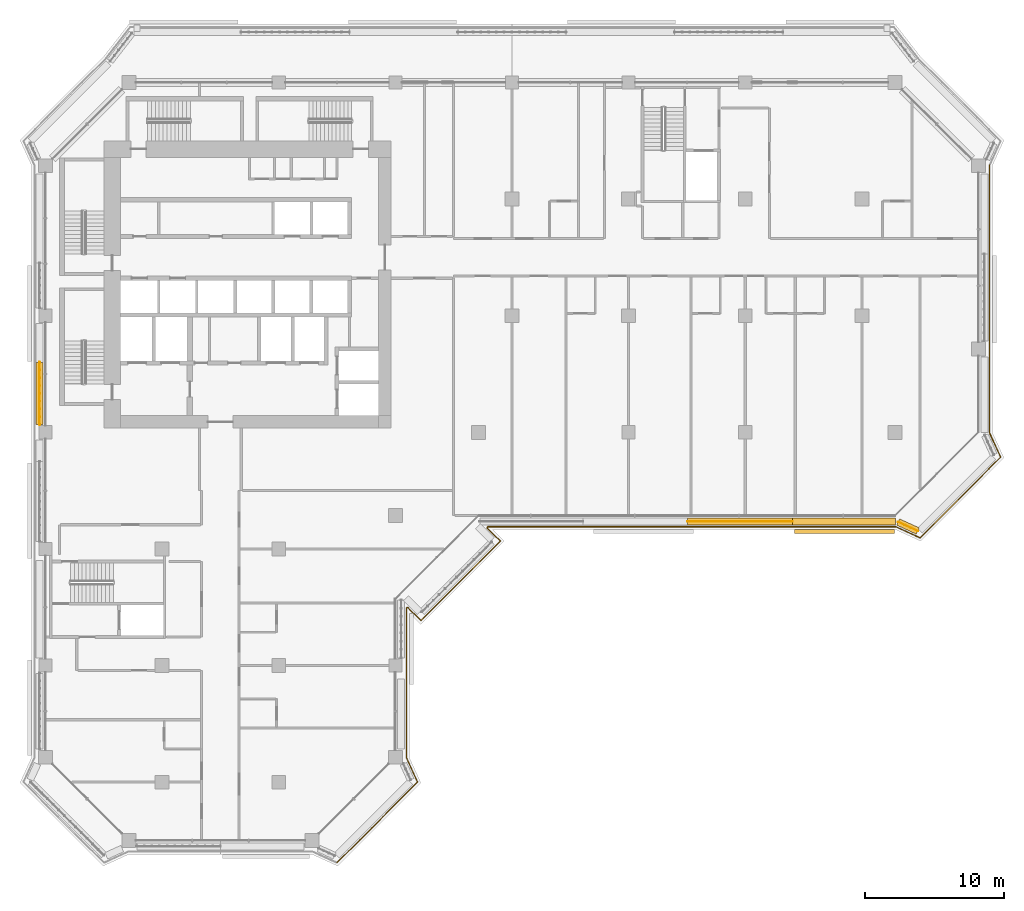
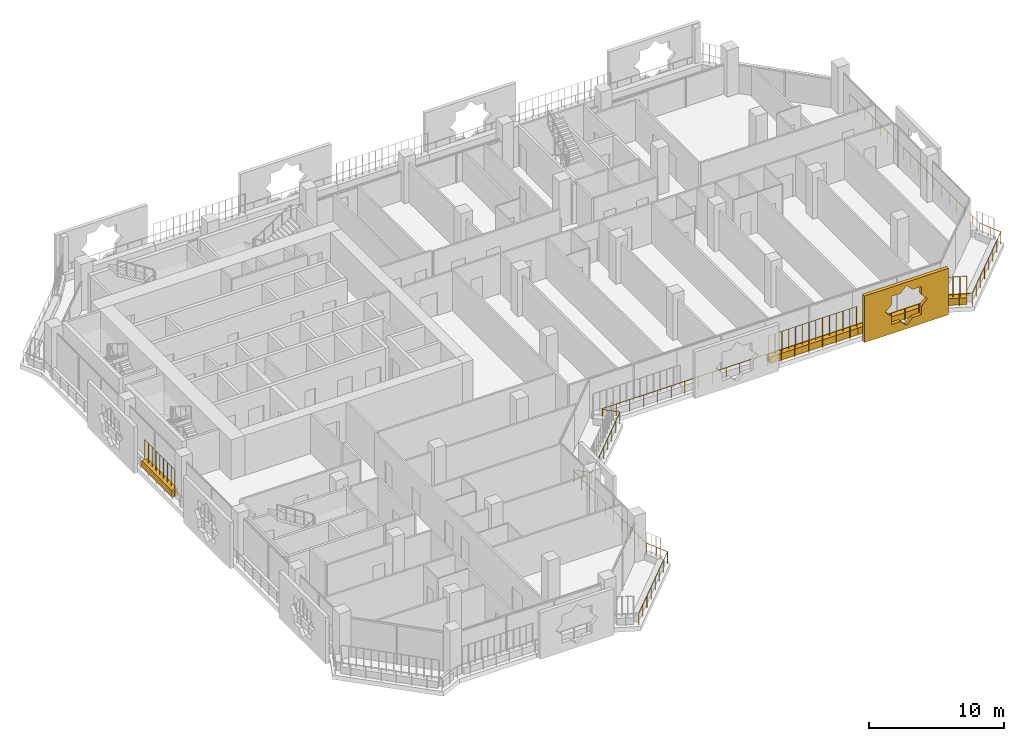
# One storey, part 18 of 21: 5 coverings, 4 railings.
"""IFC4 building model written with IfcOpenShell, lengths in metres."""

from ifc_helpers import new_model, si_unit, direction, frame, origin, origin_2d, place, context, subcontext, project, spatial, polyline, rectangle, circle, outline, extrude, material, material_profile, profile_set, type_object, element, save


model = new_model("IFC4")

# Units and contexts
model_context = context("Model", 3, precision=1e-05, world=origin(), true_north=direction((0.0, 1.0)))
body_context = subcontext(model_context, "Body", "Model", "MODEL_VIEW")
ifc_project = project(units=[si_unit("LENGTHUNIT", "METRE"), si_unit("AREAUNIT", "SQUARE_METRE"), si_unit("VOLUMEUNIT", "CUBIC_METRE"), si_unit("PLANEANGLEUNIT", "RADIAN"), si_unit("MASSUNIT", "GRAM", prefix="KILO")], contexts=[model_context])

# Site, building, storey
site_placement = place(None, origin())
site = spatial("IfcSite", under=ifc_project, at=site_placement, CompositionType="ELEMENT")
building_placement = place(site_placement, origin())
building = spatial("IfcBuilding", under=site, at=building_placement, Name="Kawkab Arch Medical Tower", CompositionType="ELEMENT")
storey_placement = place(building_placement, frame((0.0, 0.0, 192.0)))
storey = spatial("IfcBuildingStorey", under=building, at=storey_placement, Name="L44", CompositionType="ELEMENT", Elevation=192.0)

# Railing
ifc_material_1 = material(Name="Bronze anodised aluminium guard", Category="aluminium")
railing_type_1 = type_object("IfcRailingType", Name="Loggia and terrace guard 1100", PredefinedType="GUARDRAIL", material=ifc_material_1)
railing_1_placement = place(storey_placement, frame((68.0, -5.95703125, 0.0)))
element("IfcRailing", 1, at=railing_1_placement, inside=storey, type_object=railing_type_1, Name="Guard L44.LOG-01.1.2", PredefinedType="GUARDRAIL", context=body_context, shape_type="SweptSolid", body=[
    extrude(circle(Radius=0.02392578125, at=origin_2d()), frame((0.0, 0.0, 1.076171875), z_axis=(0.0, -1.0, 0.0), x_axis=(1.0, 0.0, 0.0)), (0.0, 0.0, 1.0), 19.285888671875),
    extrude(circle(Radius=0.02392578125, at=origin_2d()), frame((0.0, -19.285888671875, 1.076171875), z_axis=(0.414509773934, -0.910044860056, 0.0), x_axis=(0.910044860056, 0.414509773934, 0.0)), (0.0, 0.0, 1.0), 1.92529296875),
    extrude(circle(Radius=0.02392578125, at=origin_2d()), frame((0.798095703125, -21.0380859375, 1.076171875), z_axis=(-0.707106781187, -0.707106781187, 0.0), x_axis=(0.707106781187, -0.707106781187, 0.0)), (0.0, 0.0, 1.0), 8.20654296875),
    extrude(circle(Radius=0.02392578125, at=origin_2d()), frame((-5.0048828125, -26.841064453125, 1.076171875), z_axis=(-0.910044860056, 0.414509773934, 0.0), x_axis=(-0.414509773934, -0.910044860056, 0.0)), (0.0, 0.0, 1.0), 1.92529296875),
    extrude(circle(Radius=0.02392578125, at=origin_2d()), frame((-6.757080078125, -26.04296875, 1.076171875), z_axis=(-1.0, 0.0, 0.0), x_axis=(0.0, -1.0, 0.0)), (0.0, 0.0, 1.0), 29.392822265625),
    extrude(circle(Radius=0.02392578125, at=origin_2d()), frame((-36.14990234375, -26.04296875, 1.076171875), z_axis=(-0.383763674343, -0.923431341387, 0.0), x_axis=(0.923431341387, -0.383763674343, 0.0)), (0.0, 0.0, 1.0), 0.101806640625),
    extrude(circle(Radius=0.02392578125, at=origin_2d()), frame((-36.18896484375, -26.136962890625, 1.076171875), z_axis=(0.707015335112, -0.707198215437, 0.0), x_axis=(0.707198215437, 0.707015335112, 0.0)), (0.0, 0.0, 1.0), 1.3349609375),
    extrude(circle(Radius=0.02392578125, at=origin_2d()), frame((-35.2451171875, -27.0810546875, 1.076171875), z_axis=(-0.707106781187, -0.707106781187, 0.0), x_axis=(0.707106781187, -0.707106781187, 0.0)), (0.0, 0.0, 1.0), 8.084716796875),
    extrude(circle(Radius=0.02392578125, at=origin_2d()), frame((-40.9619140625, -32.7978515625, 1.076171875), z_axis=(-0.707198215437, 0.707015335112, 0.0), x_axis=(-0.707015335112, -0.707198215437, 0.0)), (0.0, 0.0, 1.0), 1.3349609375),
    extrude(circle(Radius=0.02392578125, at=origin_2d()), frame((-41.906005859375, -31.85400390625, 1.076171875), z_axis=(-0.923431341387, -0.383763674343, 0.0), x_axis=(0.383763674343, -0.923431341387, 0.0)), (0.0, 0.0, 1.0), 0.101806640625),
    extrude(circle(Radius=0.02392578125, at=origin_2d()), frame((-42.0, -31.89306640625, 1.076171875), z_axis=(0.0, -1.0, 0.0), x_axis=(1.0, 0.0, 0.0)), (0.0, 0.0, 1.0), 10.79296875),
    extrude(circle(Radius=0.02392578125, at=origin_2d()), frame((-42.0, -42.68603515625, 1.076171875), z_axis=(0.414557610759, -0.910023069687, 0.0), x_axis=(0.910023069687, 0.414557610759, 0.0)), (0.0, 0.0, 1.0), 1.92529296875),
    extrude(circle(Radius=0.02392578125, at=origin_2d()), frame((-41.201904296875, -44.43798828125, 1.076171875), z_axis=(-0.707106781187, -0.707106781187, 0.0), x_axis=(0.707106781187, -0.707106781187, 0.0)), (0.0, 0.0, 1.0), 8.20654296875),
    extrude(circle(Radius=0.02099609375, at=origin_2d()), origin(), (0.0, 0.0, 1.0), 1.052001953125),
    extrude(circle(Radius=0.02099609375, at=origin_2d()), frame((0.0, -1.134521484375, 0.0)), (0.0, 0.0, 1.0), 1.052001953125),
    extrude(circle(Radius=0.02099609375, at=origin_2d()), frame((0.0, -2.26904296875, 0.0)), (0.0, 0.0, 1.0), 1.052001953125),
    extrude(circle(Radius=0.02099609375, at=origin_2d()), frame((0.0, -3.4033203125, 0.0)), (0.0, 0.0, 1.0), 1.052001953125),
    extrude(circle(Radius=0.02099609375, at=origin_2d()), frame((0.0, -4.537841796875, 0.0)), (0.0, 0.0, 1.0), 1.052001953125),
    extrude(circle(Radius=0.02099609375, at=origin_2d()), frame((0.0, -5.67236328125, 0.0)), (0.0, 0.0, 1.0), 1.052001953125),
    extrude(circle(Radius=0.02099609375, at=origin_2d()), frame((0.0, -6.806884765625, 0.0)), (0.0, 0.0, 1.0), 1.052001953125),
    extrude(circle(Radius=0.02099609375, at=origin_2d()), frame((0.0, -7.941162109375, 0.0)), (0.0, 0.0, 1.0), 1.052001953125),
    extrude(circle(Radius=0.02099609375, at=origin_2d()), frame((0.0, -9.07568359375, 0.0)), (0.0, 0.0, 1.0), 1.052001953125),
    extrude(circle(Radius=0.02099609375, at=origin_2d()), frame((0.0, -10.210205078125, 0.0)), (0.0, 0.0, 1.0), 1.052001953125),
    extrude(circle(Radius=0.02099609375, at=origin_2d()), frame((0.0, -11.3447265625, 0.0)), (0.0, 0.0, 1.0), 1.052001953125),
    extrude(circle(Radius=0.02099609375, at=origin_2d()), frame((0.0, -12.47900390625, 0.0)), (0.0, 0.0, 1.0), 1.052001953125),
    extrude(circle(Radius=0.02099609375, at=origin_2d()), frame((0.0, -13.613525390625, 0.0)), (0.0, 0.0, 1.0), 1.052001953125),
    extrude(circle(Radius=0.02099609375, at=origin_2d()), frame((0.0, -14.748046875, 0.0)), (0.0, 0.0, 1.0), 1.052001953125),
    extrude(circle(Radius=0.02099609375, at=origin_2d()), frame((0.0, -15.882568359375, 0.0)), (0.0, 0.0, 1.0), 1.052001953125),
    extrude(circle(Radius=0.02099609375, at=origin_2d()), frame((0.0, -17.016845703125, 0.0)), (0.0, 0.0, 1.0), 1.052001953125),
    extrude(circle(Radius=0.02099609375, at=origin_2d()), frame((0.0, -18.1513671875, 0.0)), (0.0, 0.0, 1.0), 1.052001953125),
    extrude(circle(Radius=0.02099609375, at=origin_2d()), frame((0.0, -19.285888671875, 0.0)), (0.0, 0.0, 1.0), 1.052001953125),
    extrude(circle(Radius=0.02099609375, at=origin_2d()), frame((0.39892578125, -20.162109375, 0.0)), (0.0, 0.0, 1.0), 1.052001953125),
    extrude(circle(Radius=0.02099609375, at=origin_2d()), frame((0.798095703125, -21.0380859375, 0.0)), (0.0, 0.0, 1.0), 1.052001953125),
    extrude(circle(Radius=0.02099609375, at=origin_2d()), frame((-0.031005859375, -21.8671875, 0.0)), (0.0, 0.0, 1.0), 1.052001953125),
    extrude(circle(Radius=0.02099609375, at=origin_2d()), frame((-0.85986328125, -22.696044921875, 0.0)), (0.0, 0.0, 1.0), 1.052001953125),
    extrude(circle(Radius=0.02099609375, at=origin_2d()), frame((-1.68896484375, -23.525146484375, 0.0)), (0.0, 0.0, 1.0), 1.052001953125),
    extrude(circle(Radius=0.02099609375, at=origin_2d()), frame((-2.517822265625, -24.35400390625, 0.0)), (0.0, 0.0, 1.0), 1.052001953125),
    extrude(circle(Radius=0.02099609375, at=origin_2d()), frame((-3.346923828125, -25.18310546875, 0.0)), (0.0, 0.0, 1.0), 1.052001953125),
    extrude(circle(Radius=0.02099609375, at=origin_2d()), frame((-4.17578125, -26.011962890625, 0.0)), (0.0, 0.0, 1.0), 1.052001953125),
    extrude(circle(Radius=0.02099609375, at=origin_2d()), frame((-5.0048828125, -26.841064453125, 0.0)), (0.0, 0.0, 1.0), 1.052001953125),
    extrude(circle(Radius=0.02099609375, at=origin_2d()), frame((-5.880859375, -26.44189453125, 0.0)), (0.0, 0.0, 1.0), 1.052001953125),
    extrude(circle(Radius=0.02099609375, at=origin_2d()), frame((-6.757080078125, -26.04296875, 0.0)), (0.0, 0.0, 1.0), 1.052001953125),
    extrude(circle(Radius=0.02099609375, at=origin_2d()), frame((-7.932861328125, -26.04296875, 0.0)), (0.0, 0.0, 1.0), 1.052001953125),
    extrude(circle(Radius=0.02099609375, at=origin_2d()), frame((-9.1083984375, -26.04296875, 0.0)), (0.0, 0.0, 1.0), 1.052001953125),
    extrude(circle(Radius=0.02099609375, at=origin_2d()), frame((-10.2841796875, -26.04296875, 0.0)), (0.0, 0.0, 1.0), 1.052001953125),
    extrude(circle(Radius=0.02099609375, at=origin_2d()), frame((-11.4599609375, -26.04296875, 0.0)), (0.0, 0.0, 1.0), 1.052001953125),
    extrude(circle(Radius=0.02099609375, at=origin_2d()), frame((-12.6357421875, -26.04296875, 0.0)), (0.0, 0.0, 1.0), 1.052001953125),
    extrude(circle(Radius=0.02099609375, at=origin_2d()), frame((-13.811279296875, -26.04296875, 0.0)), (0.0, 0.0, 1.0), 1.052001953125),
    extrude(circle(Radius=0.02099609375, at=origin_2d()), frame((-14.987060546875, -26.04296875, 0.0)), (0.0, 0.0, 1.0), 1.052001953125),
    extrude(circle(Radius=0.02099609375, at=origin_2d()), frame((-16.162841796875, -26.04296875, 0.0)), (0.0, 0.0, 1.0), 1.052001953125),
    extrude(circle(Radius=0.02099609375, at=origin_2d()), frame((-17.33837890625, -26.04296875, 0.0)), (0.0, 0.0, 1.0), 1.052001953125),
    extrude(circle(Radius=0.02099609375, at=origin_2d()), frame((-18.51416015625, -26.04296875, 0.0)), (0.0, 0.0, 1.0), 1.052001953125),
    extrude(circle(Radius=0.02099609375, at=origin_2d()), frame((-19.68994140625, -26.04296875, 0.0)), (0.0, 0.0, 1.0), 1.052001953125),
    extrude(circle(Radius=0.02099609375, at=origin_2d()), frame((-20.86572265625, -26.04296875, 0.0)), (0.0, 0.0, 1.0), 1.052001953125),
    extrude(circle(Radius=0.02099609375, at=origin_2d()), frame((-22.041259765625, -26.04296875, 0.0)), (0.0, 0.0, 1.0), 1.052001953125),
    extrude(circle(Radius=0.02099609375, at=origin_2d()), frame((-23.217041015625, -26.04296875, 0.0)), (0.0, 0.0, 1.0), 1.052001953125),
    extrude(circle(Radius=0.02099609375, at=origin_2d()), frame((-24.392822265625, -26.04296875, 0.0)), (0.0, 0.0, 1.0), 1.052001953125),
    extrude(circle(Radius=0.02099609375, at=origin_2d()), frame((-25.568603515625, -26.04296875, 0.0)), (0.0, 0.0, 1.0), 1.052001953125),
    extrude(circle(Radius=0.02099609375, at=origin_2d()), frame((-26.744140625, -26.04296875, 0.0)), (0.0, 0.0, 1.0), 1.052001953125),
    extrude(circle(Radius=0.02099609375, at=origin_2d()), frame((-27.919921875, -26.04296875, 0.0)), (0.0, 0.0, 1.0), 1.052001953125),
    extrude(circle(Radius=0.02099609375, at=origin_2d()), frame((-29.095703125, -26.04296875, 0.0)), (0.0, 0.0, 1.0), 1.052001953125),
    extrude(circle(Radius=0.02099609375, at=origin_2d()), frame((-30.271240234375, -26.04296875, 0.0)), (0.0, 0.0, 1.0), 1.052001953125),
    extrude(circle(Radius=0.02099609375, at=origin_2d()), frame((-31.447021484375, -26.04296875, 0.0)), (0.0, 0.0, 1.0), 1.052001953125),
    extrude(circle(Radius=0.02099609375, at=origin_2d()), frame((-32.622802734375, -26.04296875, 0.0)), (0.0, 0.0, 1.0), 1.052001953125),
    extrude(circle(Radius=0.02099609375, at=origin_2d()), frame((-33.798583984375, -26.04296875, 0.0)), (0.0, 0.0, 1.0), 1.052001953125),
    extrude(circle(Radius=0.02099609375, at=origin_2d()), frame((-34.97412109375, -26.04296875, 0.0)), (0.0, 0.0, 1.0), 1.052001953125),
    extrude(circle(Radius=0.02099609375, at=origin_2d()), frame((-36.14990234375, -26.04296875, 0.0)), (0.0, 0.0, 1.0), 1.052001953125),
    extrude(circle(Radius=0.02099609375, at=origin_2d()), frame((-36.18896484375, -26.136962890625, 0.0)), (0.0, 0.0, 1.0), 1.052001953125),
    extrude(circle(Radius=0.02099609375, at=origin_2d()), frame((-35.717041015625, -26.60888671875, 0.0)), (0.0, 0.0, 1.0), 1.052001953125),
    extrude(circle(Radius=0.02099609375, at=origin_2d()), frame((-35.2451171875, -27.0810546875, 0.0)), (0.0, 0.0, 1.0), 1.052001953125),
    extrude(circle(Radius=0.02099609375, at=origin_2d()), frame((-36.061767578125, -27.897705078125, 0.0)), (0.0, 0.0, 1.0), 1.052001953125),
    extrude(circle(Radius=0.02099609375, at=origin_2d()), frame((-36.87841796875, -28.71435546875, 0.0)), (0.0, 0.0, 1.0), 1.052001953125),
    extrude(circle(Radius=0.02099609375, at=origin_2d()), frame((-37.695068359375, -29.531005859375, 0.0)), (0.0, 0.0, 1.0), 1.052001953125),
    extrude(circle(Radius=0.02099609375, at=origin_2d()), frame((-38.511962890625, -30.347900390625, 0.0)), (0.0, 0.0, 1.0), 1.052001953125),
    extrude(circle(Radius=0.02099609375, at=origin_2d()), frame((-39.32861328125, -31.16455078125, 0.0)), (0.0, 0.0, 1.0), 1.052001953125),
    extrude(circle(Radius=0.02099609375, at=origin_2d()), frame((-40.145263671875, -31.981201171875, 0.0)), (0.0, 0.0, 1.0), 1.052001953125),
    extrude(circle(Radius=0.02099609375, at=origin_2d()), frame((-40.9619140625, -32.7978515625, 0.0)), (0.0, 0.0, 1.0), 1.052001953125),
    extrude(circle(Radius=0.02099609375, at=origin_2d()), frame((-41.43408203125, -32.325927734375, 0.0)), (0.0, 0.0, 1.0), 1.052001953125),
    extrude(circle(Radius=0.02099609375, at=origin_2d()), frame((-41.906005859375, -31.85400390625, 0.0)), (0.0, 0.0, 1.0), 1.052001953125),
    extrude(circle(Radius=0.02099609375, at=origin_2d()), frame((-42.0, -31.89306640625, 0.0)), (0.0, 0.0, 1.0), 1.052001953125),
    extrude(circle(Radius=0.02099609375, at=origin_2d()), frame((-42.0, -33.09228515625, 0.0)), (0.0, 0.0, 1.0), 1.052001953125),
    extrude(circle(Radius=0.02099609375, at=origin_2d()), frame((-42.0, -34.29150390625, 0.0)), (0.0, 0.0, 1.0), 1.052001953125),
    extrude(circle(Radius=0.02099609375, at=origin_2d()), frame((-42.0, -35.49072265625, 0.0)), (0.0, 0.0, 1.0), 1.052001953125),
    extrude(circle(Radius=0.02099609375, at=origin_2d()), frame((-42.0, -36.68994140625, 0.0)), (0.0, 0.0, 1.0), 1.052001953125),
    extrude(circle(Radius=0.02099609375, at=origin_2d()), frame((-42.0, -37.88916015625, 0.0)), (0.0, 0.0, 1.0), 1.052001953125),
    extrude(circle(Radius=0.02099609375, at=origin_2d()), frame((-42.0, -39.08837890625, 0.0)), (0.0, 0.0, 1.0), 1.052001953125),
    extrude(circle(Radius=0.02099609375, at=origin_2d()), frame((-42.0, -40.28759765625, 0.0)), (0.0, 0.0, 1.0), 1.052001953125),
    extrude(circle(Radius=0.02099609375, at=origin_2d()), frame((-42.0, -41.48681640625, 0.0)), (0.0, 0.0, 1.0), 1.052001953125),
    extrude(circle(Radius=0.02099609375, at=origin_2d()), frame((-42.0, -42.68603515625, 0.0)), (0.0, 0.0, 1.0), 1.052001953125),
    extrude(circle(Radius=0.02099609375, at=origin_2d()), frame((-41.60107421875, -43.56201171875, 0.0)), (0.0, 0.0, 1.0), 1.052001953125),
    extrude(circle(Radius=0.02099609375, at=origin_2d()), frame((-41.201904296875, -44.43798828125, 0.0)), (0.0, 0.0, 1.0), 1.052001953125),
    extrude(circle(Radius=0.02099609375, at=origin_2d()), frame((-42.031005859375, -45.26708984375, 0.0)), (0.0, 0.0, 1.0), 1.052001953125),
    extrude(circle(Radius=0.02099609375, at=origin_2d()), frame((-42.85986328125, -46.095947265625, 0.0)), (0.0, 0.0, 1.0), 1.052001953125),
    extrude(circle(Radius=0.02099609375, at=origin_2d()), frame((-43.68896484375, -46.925048828125, 0.0)), (0.0, 0.0, 1.0), 1.052001953125),
    extrude(circle(Radius=0.02099609375, at=origin_2d()), frame((-44.517822265625, -47.75390625, 0.0)), (0.0, 0.0, 1.0), 1.052001953125),
    extrude(circle(Radius=0.02099609375, at=origin_2d()), frame((-45.346923828125, -48.5830078125, 0.0)), (0.0, 0.0, 1.0), 1.052001953125),
    extrude(circle(Radius=0.02099609375, at=origin_2d()), frame((-46.17578125, -49.411865234375, 0.0)), (0.0, 0.0, 1.0), 1.052001953125),
    extrude(circle(Radius=0.02099609375, at=origin_2d()), frame((-47.0048828125, -50.240966796875, 0.0)), (0.0, 0.0, 1.0), 1.052001953125),
])

# Coverings
ifc_material_2 = material(Name="Bronze anodised aluminium mashrabiya panel, eight-point star pattern", Category="aluminium")
ifc_material_profile_1 = material_profile(ifc_material_2, outline(polyline([(-3.60009765625, -2.10009765625), (3.60009765625, -2.10009765625), (3.60009765625, 2.10009765625), (-3.60009765625, 2.10009765625), (-3.60009765625, -2.10009765625)]), holes=[polyline([(1.800048828125, 0.0), (1.272705078125, 0.527099609375), (1.272705078125, 1.272705078125), (0.527099609375, 1.272705078125), (0.0, 1.800048828125), (-0.527099609375, 1.272705078125), (-1.272705078125, 1.272705078125), (-1.272705078125, 0.527099609375), (-1.800048828125, 0.0), (-1.272705078125, -0.527099609375), (-1.272705078125, -1.272705078125), (-0.527099609375, -1.272705078125), (0.0, -1.800048828125), (0.527099609375, -1.272705078125), (1.272705078125, -1.272705078125), (1.272705078125, -0.527099609375), (1.800048828125, 0.0)])]), Name="Mashrabiya panel 7200x4200")
ifc_profile_set_1 = profile_set([ifc_material_profile_1], Name="Bronze anodised aluminium mashrabiya panel, eight-point star pattern")
covering_type_1 = type_object("IfcCoveringType", Name="Mashrabiya panel 7200 x 4200", PredefinedType="USERDEFINED", material=ifc_profile_set_1)
covering_1_placement = place(storey_placement, frame((57.5546875, -32.199951171875, 1.699951171875), z_axis=(0.0, -1.0, 0.0), x_axis=(1.0, 0.0, 0.0)))
element("IfcCovering", 2, at=covering_1_placement, inside=storey, type_object=covering_type_1, Name="Mashrabiya panel L44.LOG-01-01.10", ObjectType="SCREEN", PredefinedType="USERDEFINED", context=body_context, shape_type="SweptSolid", body=[
    extrude(outline(polyline([(-3.60009765625, -2.10009765625), (3.60009765625, -2.10009765625), (3.60009765625, 2.10009765625), (-3.60009765625, 2.10009765625), (-3.60009765625, -2.10009765625)]), holes=[polyline([(1.800048828125, 0.0), (1.272705078125, 0.527099609375), (1.272705078125, 1.272705078125), (0.527099609375, 1.272705078125), (0.0, 1.800048828125), (-0.527099609375, 1.272705078125), (-1.272705078125, 1.272705078125), (-1.272705078125, 0.527099609375), (-1.800048828125, 0.0), (-1.272705078125, -0.527099609375), (-1.272705078125, -1.272705078125), (-0.527099609375, -1.272705078125), (0.0, -1.800048828125), (0.527099609375, -1.272705078125), (1.272705078125, -1.272705078125), (1.272705078125, -0.527099609375), (1.800048828125, 0.0)])]), origin(), (0.0, 0.0, 1.0), 0.300048828125),
])
ifc_material_3 = material(Name="Planting soil in a precast trough", Category="concrete")
ifc_material_profile_2 = material_profile(ifc_material_3, rectangle(XDim=0.5, YDim=0.60009765625, at=origin_2d()), Name="Trough 500x600")
ifc_profile_set_2 = profile_set([ifc_material_profile_2], Name="Planting soil in a precast trough")
covering_type_2 = type_object("IfcCoveringType", Name="Planter trough 500 x 600", PredefinedType="USERDEFINED", material=ifc_profile_set_2)
covering_2_placement = place(storey_placement, frame((-0.419921875, -24.64501953125, 0.300048828125), z_axis=(0.0, 1.0, 0.0), x_axis=(-1.0, 0.0, 0.0)))
element("IfcCovering", 3, at=covering_2_placement, inside=storey, type_object=covering_type_2, Name="Planter L44.LOG-01-01.11", ObjectType="PLANTER", PredefinedType="USERDEFINED", context=body_context, shape_type="SweptSolid", body=[
    extrude(rectangle(XDim=0.5, YDim=0.60009765625, at=origin_2d()), origin(), (0.0, 0.0, 1.0), 4.487060546875),
])
covering_3_placement = place(storey_placement, frame((62.821044921875, -32.302001953125, 0.300048828125), z_axis=(-0.909655525109, 0.415363486165, 0.0), x_axis=(-0.415363486165, -0.909655525109, 0.0)))
element("IfcCovering", 4, at=covering_3_placement, inside=storey, type_object=covering_type_2, Name="Planter L44.LOG-01-01.33", ObjectType="PLANTER", PredefinedType="USERDEFINED", context=body_context, shape_type="SweptSolid", body=[
    extrude(rectangle(XDim=0.5, YDim=0.60009765625, at=origin_2d()), origin(), (0.0, 0.0, 1.0), 1.54345703125),
])
covering_4_placement = place(storey_placement, frame((61.22607421875, -31.6201171875, 0.300048828125), z_axis=(-1.0, 0.0, 0.0), x_axis=(0.0, -1.0, 0.0)))
element("IfcCovering", 5, at=covering_4_placement, inside=storey, type_object=covering_type_2, Name="Planter L44.LOG-01-01.34", ObjectType="PLANTER", PredefinedType="USERDEFINED", context=body_context, shape_type="SweptSolid", body=[
    extrude(rectangle(XDim=0.5, YDim=0.60009765625, at=origin_2d()), origin(), (0.0, 0.0, 1.0), 7.43505859375),
])
covering_5_placement = place(storey_placement, frame((53.791015625, -31.6201171875, 0.300048828125), z_axis=(-1.0, 0.0, 0.0), x_axis=(0.0, -1.0, 0.0)))
element("IfcCovering", 6, at=covering_5_placement, inside=storey, type_object=covering_type_2, Name="Planter L44.LOG-01-01.35", ObjectType="PLANTER", PredefinedType="USERDEFINED", context=body_context, shape_type="SweptSolid", body=[
    extrude(rectangle(XDim=0.5, YDim=0.60009765625, at=origin_2d()), origin(), (0.0, 0.0, 1.0), 7.5361328125),
])

# Railings
ifc_material_4 = material(Name="Bronze anodised aluminium trellis for climbing plants", Category="aluminium")
railing_type_2 = type_object("IfcRailingType", Name="Planting trellis 2400", PredefinedType="USERDEFINED", material=ifc_material_4)
railing_2_placement = place(storey_placement, frame((-0.419921875, -24.64501953125, 0.0)))
element("IfcRailing", 7, at=railing_2_placement, inside=storey, type_object=railing_type_2, Name="Planting trellis L44.LOG-01-01.11", ObjectType="TRELLIS", PredefinedType="USERDEFINED", context=body_context, shape_type="SweptSolid", body=[
    extrude(circle(Radius=0.01513671875, at=origin_2d()), frame((0.0, 0.0, 2.384765625), z_axis=(0.0, 1.0, 0.0), x_axis=(-1.0, 0.0, 0.0)), (0.0, 0.0, 1.0), 4.487060546875),
    extrude(circle(Radius=0.030029296875, at=origin_2d()), origin(), (0.0, 0.0, 1.0), 2.369873046875),
    extrude(circle(Radius=0.030029296875, at=origin_2d()), frame((0.0, 0.560791015625, 0.0)), (0.0, 0.0, 1.0), 2.369873046875),
    extrude(circle(Radius=0.030029296875, at=origin_2d()), frame((0.0, 1.121826171875, 0.0)), (0.0, 0.0, 1.0), 2.369873046875),
    extrude(circle(Radius=0.030029296875, at=origin_2d()), frame((0.0, 1.6826171875, 0.0)), (0.0, 0.0, 1.0), 2.369873046875),
    extrude(circle(Radius=0.030029296875, at=origin_2d()), frame((0.0, 2.24365234375, 0.0)), (0.0, 0.0, 1.0), 2.369873046875),
    extrude(circle(Radius=0.030029296875, at=origin_2d()), frame((0.0, 2.804443359375, 0.0)), (0.0, 0.0, 1.0), 2.369873046875),
    extrude(circle(Radius=0.030029296875, at=origin_2d()), frame((0.0, 3.365234375, 0.0)), (0.0, 0.0, 1.0), 2.369873046875),
    extrude(circle(Radius=0.030029296875, at=origin_2d()), frame((0.0, 3.92626953125, 0.0)), (0.0, 0.0, 1.0), 2.369873046875),
    extrude(circle(Radius=0.030029296875, at=origin_2d()), frame((0.0, 4.487060546875, 0.0)), (0.0, 0.0, 1.0), 2.369873046875),
])
railing_3_placement = place(storey_placement, frame((62.821044921875, -32.302001953125, 0.0)))
element("IfcRailing", 8, at=railing_3_placement, inside=storey, type_object=railing_type_2, Name="Planting trellis L44.LOG-01-01.33", ObjectType="TRELLIS", PredefinedType="USERDEFINED", context=body_context, shape_type="SweptSolid", body=[
    extrude(circle(Radius=0.01513671875, at=origin_2d()), frame((0.0, 0.0, 2.384765625), z_axis=(-0.909655525109, 0.415363486165, 0.0), x_axis=(-0.415363486165, -0.909655525109, 0.0)), (0.0, 0.0, 1.0), 1.54345703125),
    extrude(circle(Radius=0.030029296875, at=origin_2d()), origin(), (0.0, 0.0, 1.0), 2.369873046875),
    extrude(circle(Radius=0.030029296875, at=origin_2d()), frame((-0.468017578125, 0.213623046875, 0.0)), (0.0, 0.0, 1.0), 2.369873046875),
    extrude(circle(Radius=0.030029296875, at=origin_2d()), frame((-0.93603515625, 0.427490234375, 0.0)), (0.0, 0.0, 1.0), 2.369873046875),
    extrude(circle(Radius=0.030029296875, at=origin_2d()), frame((-1.404052734375, 0.64111328125, 0.0)), (0.0, 0.0, 1.0), 2.369873046875),
])
railing_4_placement = place(storey_placement, frame((53.791015625, -31.6201171875, 0.0)))
element("IfcRailing", 9, at=railing_4_placement, inside=storey, type_object=railing_type_2, Name="Planting trellis L44.LOG-01-01.35", ObjectType="TRELLIS", PredefinedType="USERDEFINED", context=body_context, shape_type="SweptSolid", body=[
    extrude(circle(Radius=0.01513671875, at=origin_2d()), frame((0.0, 0.0, 2.384765625), z_axis=(-1.0, 0.0, 0.0), x_axis=(0.0, -1.0, 0.0)), (0.0, 0.0, 1.0), 7.5361328125),
    extrude(circle(Radius=0.030029296875, at=origin_2d()), origin(), (0.0, 0.0, 1.0), 2.369873046875),
    extrude(circle(Radius=0.030029296875, at=origin_2d()), frame((-0.57958984375, 0.0, 0.0)), (0.0, 0.0, 1.0), 2.369873046875),
    extrude(circle(Radius=0.030029296875, at=origin_2d()), frame((-1.159423828125, 0.0, 0.0)), (0.0, 0.0, 1.0), 2.369873046875),
    extrude(circle(Radius=0.030029296875, at=origin_2d()), frame((-1.739013671875, 0.0, 0.0)), (0.0, 0.0, 1.0), 2.369873046875),
    extrude(circle(Radius=0.030029296875, at=origin_2d()), frame((-2.31884765625, 0.0, 0.0)), (0.0, 0.0, 1.0), 2.369873046875),
    extrude(circle(Radius=0.030029296875, at=origin_2d()), frame((-2.8984375, 0.0, 0.0)), (0.0, 0.0, 1.0), 2.369873046875),
    extrude(circle(Radius=0.030029296875, at=origin_2d()), frame((-3.478271484375, 0.0, 0.0)), (0.0, 0.0, 1.0), 2.369873046875),
    extrude(circle(Radius=0.030029296875, at=origin_2d()), frame((-4.057861328125, 0.0, 0.0)), (0.0, 0.0, 1.0), 2.369873046875),
    extrude(circle(Radius=0.030029296875, at=origin_2d()), frame((-4.6376953125, 0.0, 0.0)), (0.0, 0.0, 1.0), 2.369873046875),
    extrude(circle(Radius=0.030029296875, at=origin_2d()), frame((-5.21728515625, 0.0, 0.0)), (0.0, 0.0, 1.0), 2.369873046875),
    extrude(circle(Radius=0.030029296875, at=origin_2d()), frame((-5.797119140625, 0.0, 0.0)), (0.0, 0.0, 1.0), 2.369873046875),
    extrude(circle(Radius=0.030029296875, at=origin_2d()), frame((-6.376708984375, 0.0, 0.0)), (0.0, 0.0, 1.0), 2.369873046875),
    extrude(circle(Radius=0.030029296875, at=origin_2d()), frame((-6.95654296875, 0.0, 0.0)), (0.0, 0.0, 1.0), 2.369873046875),
    extrude(circle(Radius=0.030029296875, at=origin_2d()), frame((-7.5361328125, 0.0, 0.0)), (0.0, 0.0, 1.0), 2.369873046875),
])

save(model, "model.ifc")
